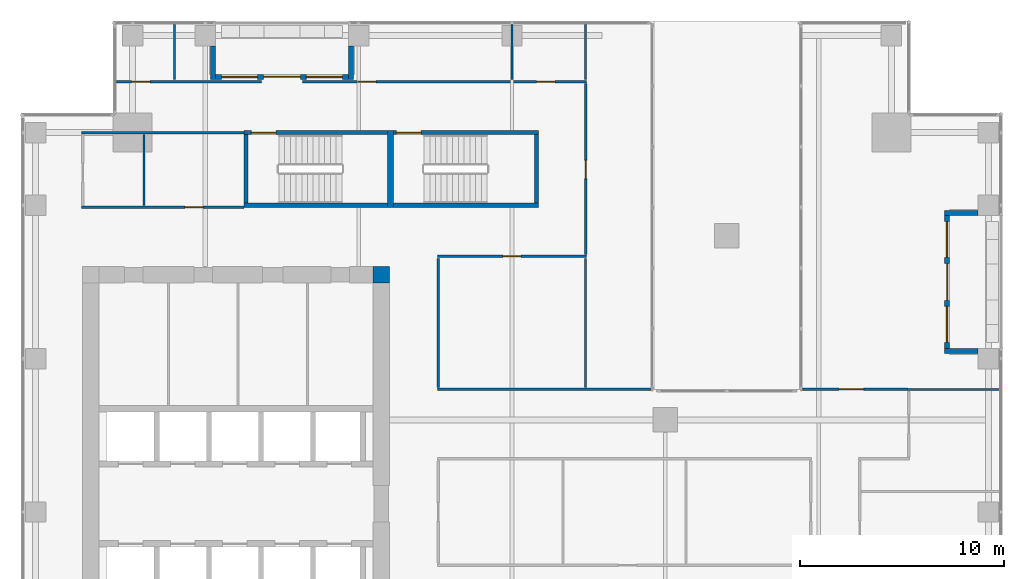
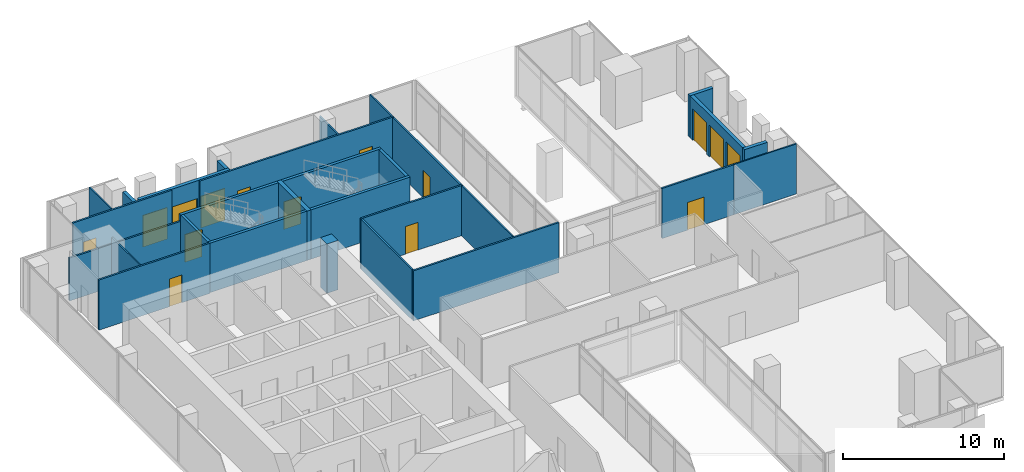
# One storey, part 36 of 40: 29 walls, 11 doors, 4 windows, 15 openings.
"""IFC4 building model written with IfcOpenShell, lengths in metres."""

import ifcopenshell
import ifcopenshell.guid

model = None  # the IFC model being written
_history = None  # IfcOwnerHistory: only IFC2X3 demands one
_inside = {}  # id of a spatial element -> (the spatial element, [elements in it])
_under = {}  # id of a project, library or spatial element -> (it, [spatial elements below it])
_declared = {}  # id of a project -> (the project, [libraries it declares])
_typed = {}  # id of a type object -> (the type object, [elements of that type])
_made_of = {}  # id of a material, layer set ... -> (it, [elements and type objects made of it])


def new_model(schema):
    """Start an empty IFC model of exactly this schema.

    Asked for "IFC4X3", IfcOpenShell would pick the latest addendum, in which some entities
    have other attributes; the version numbers below select the first issue.
    IFC2X3 requires an IfcOwnerHistory on every rooted entity: one is made here for all.
    """
    global model, _history
    if schema == "IFC4X3":
        model = ifcopenshell.file(schema_version=(4, 3, 0, 0))
    else:
        model = ifcopenshell.file(schema=schema)
    _inside.clear()
    _under.clear()
    _declared.clear()
    _typed.clear()
    _made_of.clear()
    _history = None
    if model.schema == "IFC2X3":
        org = make("IfcOrganization", Name="unknown")
        user = make(
            "IfcPersonAndOrganization",
            ThePerson=make("IfcPerson", FamilyName="unknown"),
            TheOrganization=org,
        )
        app = make(
            "IfcApplication",
            ApplicationDeveloper=org,
            Version="unknown",
            ApplicationFullName="unknown",
            ApplicationIdentifier="unknown",
        )
        _history = make(
            "IfcOwnerHistory",
            OwningUser=user,
            OwningApplication=app,
            ChangeAction="ADDED",
            CreationDate=0,
        )
    return model


def make(cls, **values):
    """One entity of the class cls with the attributes given. An attribute that is None is left unset."""
    return model.create_entity(
        cls, **{name: value for name, value in values.items() if value is not None}
    )


def rooted(cls, **values):
    """An entity with a GlobalId (a new one), such as an element, a storey or a relation."""
    return make(cls, GlobalId=ifcopenshell.guid.new(), OwnerHistory=_history, **values)


def si_unit(unit_type, name, prefix=None):
    """IfcSIUnit, for example si_unit("LENGTHUNIT", "METRE", prefix="MILLI")."""
    return make("IfcSIUnit", UnitType=unit_type, Prefix=prefix, Name=name)


def assignment(units):
    """IfcUnitAssignment: the units of a project."""
    return None if units is None else make("IfcUnitAssignment", Units=units)


def point(xyz):
    """IfcCartesianPoint."""
    return None if xyz is None else make("IfcCartesianPoint", Coordinates=xyz)


def direction(xyz):
    """IfcDirection."""
    return None if xyz is None else make("IfcDirection", DirectionRatios=xyz)


def frame(location, z_axis=None, x_axis=None):
    """IfcAxis2Placement3D, a coordinate frame: its origin and axes. An axis left out is left unset."""
    return make(
        "IfcAxis2Placement3D",
        Location=point(location),
        Axis=direction(z_axis),
        RefDirection=direction(x_axis),
    )


def frame_2d(location, x_axis=None):
    """IfcAxis2Placement2D, a coordinate frame in the plane: its origin and x axis."""
    return make(
        "IfcAxis2Placement2D", Location=point(location), RefDirection=direction(x_axis)
    )


def origin():
    """The frame at (0, 0, 0) with its axes left unset."""
    return frame((0.0, 0.0, 0.0))


def place(relative_to, where):
    """IfcLocalPlacement: puts the frame where relative to a parent placement (None: the world)."""
    return make(
        "IfcLocalPlacement", PlacementRelTo=relative_to, RelativePlacement=where
    )


def context(
    kind, dimensions, precision=None, world=None, true_north=None, identifier=None
):
    """IfcGeometricRepresentationContext, for example the 3D "Model" context."""
    return make(
        "IfcGeometricRepresentationContext",
        ContextIdentifier=identifier,
        ContextType=kind,
        CoordinateSpaceDimension=dimensions,
        Precision=precision,
        WorldCoordinateSystem=world,
        TrueNorth=true_north,
    )


def subcontext(parent, identifier, kind, view, scale=None):
    """IfcGeometricRepresentationSubContext, for example "Body" below "Model"."""
    return make(
        "IfcGeometricRepresentationSubContext",
        ContextIdentifier=identifier,
        ContextType=kind,
        ParentContext=parent,
        TargetScale=scale,
        TargetView=view,
    )


def project(units=None, contexts=None):
    """IfcProject with its units and contexts."""
    return rooted(
        "IfcProject",
        Name="project",
        RepresentationContexts=contexts,
        UnitsInContext=assignment(units),
    )


def spatial(cls, under=None, at=None, **own):
    """A site, building, storey or space (cls), placed at a placement, below another one or the project."""
    s = rooted(cls, ObjectPlacement=at, **own)
    if under is not None:
        _under.setdefault(under.id(), (under, []))[1].append(s)
    return s


def profile(cls, at=None, kind="AREA", **sizes):
    """A parametric profile (cls). Its sizes go by their IFC names, for example OverallWidth=200.0."""
    return make(cls, ProfileType=kind, Position=at, **sizes)


def rectangle(**sizes):
    """IfcRectangleProfileDef."""
    return profile("IfcRectangleProfileDef", **sizes)


def extrude(swept, where, along, depth):
    """IfcExtrudedAreaSolid: the profile swept, set in the frame where, extruded along a direction by depth."""
    return make(
        "IfcExtrudedAreaSolid",
        SweptArea=swept,
        Position=where,
        ExtrudedDirection=direction(along),
        Depth=depth,
    )


def shape(context_of_items, identifier, shape_type, items):
    """IfcShapeRepresentation: the items that make up one representation, for example the "Body"."""
    return make(
        "IfcShapeRepresentation",
        ContextOfItems=context_of_items,
        RepresentationIdentifier=identifier,
        RepresentationType=shape_type,
        Items=items,
    )


def source(mapping_origin, context_of_items, identifier, shape_type, items):
    """IfcRepresentationMap: a shape defined once, which mapped items show again and again."""
    return make(
        "IfcRepresentationMap",
        MappingOrigin=mapping_origin,
        MappedRepresentation=shape(context_of_items, identifier, shape_type, items),
    )


def transform(
    local_origin,
    x_axis=None,
    y_axis=None,
    z_axis=None,
    scale=None,
    scale2=None,
    scale3=None,
    uniform=True,
):
    """IfcCartesianTransformationOperator3D, or its non-uniform kind. x_axis, y_axis, z_axis: its Axis1, 2, 3."""
    if uniform:
        return make(
            "IfcCartesianTransformationOperator3D",
            Axis1=direction(x_axis),
            Axis2=direction(y_axis),
            LocalOrigin=point(local_origin),
            Scale=scale,
            Axis3=direction(z_axis),
        )
    return make(
        "IfcCartesianTransformationOperator3DnonUniform",
        Axis1=direction(x_axis),
        Axis2=direction(y_axis),
        LocalOrigin=point(local_origin),
        Scale=scale,
        Axis3=direction(z_axis),
        Scale2=scale2,
        Scale3=scale3,
    )


def mapped(mapping_source, mapping_target):
    """IfcMappedItem: shows the shape of a source again, moved by a transform."""
    return make(
        "IfcMappedItem", MappingSource=mapping_source, MappingTarget=mapping_target
    )


def material(Name=None, Category=None):
    """IfcMaterial."""
    return make("IfcMaterial", Name=Name, Category=Category)


def layer(
    of_material, thickness, ventilated=None, Name=None, Category=None, Priority=None
):
    """IfcMaterialLayer: one layer of a wall or slab, of a material (None: an air gap)."""
    return make(
        "IfcMaterialLayer",
        Material=of_material,
        LayerThickness=thickness,
        IsVentilated=ventilated,
        Name=Name,
        Category=Category,
        Priority=Priority,
    )


def layer_set(layers, Name=None):
    """IfcMaterialLayerSet."""
    return make("IfcMaterialLayerSet", MaterialLayers=layers, LayerSetName=Name)


def made_of(thing, what):
    """Note that an element or type object is made of a material, layer set ...; save() writes the relation."""
    if what is not None:
        _made_of.setdefault(what.id(), (what, []))[1].append(thing)
    return thing


def type_object(cls, material=None, **own):
    """A type object (cls), such as IfcWallType, which elements share."""
    return made_of(rooted(cls, **own), material)


def element(
    cls,
    number,
    at=None,
    inside=None,
    cuts=None,
    type_object=None,
    material=None,
    context=None,
    identifier="Body",
    shape_type=None,
    held_by="IfcProductDefinitionShape",
    body=None,
    shapes=None,
    **own,
):
    """One element of the class cls, such as IfcWall. Its Tag is "e" and its number.

    at: its placement. inside: the storey or other place that contains it. cuts: it is an
    opening in that element (IfcRelVoidsElement). A single representation is given by context,
    identifier, shape_type and body (its items); several are given by shapes. held_by: the class
    of the entity that holds the representations. save() writes the other relations.
    """
    e = rooted(cls, Tag="e%d" % number, ObjectPlacement=at, **own)
    if body is not None:
        shapes = [shape(context, identifier, shape_type, body)]
    if shapes is not None:
        e.Representation = make(held_by, Representations=shapes)
    if inside is not None:
        _inside.setdefault(inside.id(), (inside, []))[1].append(e)
    if cuts is not None:
        rooted(
            "IfcRelVoidsElement", RelatingBuildingElement=cuts, RelatedOpeningElement=e
        )
    if type_object is not None:
        _typed.setdefault(type_object.id(), (type_object, []))[1].append(e)
    return made_of(e, material)


def fill(opening, filler):
    """IfcRelFillsElement: the door or window that sits in an opening."""
    return rooted(
        "IfcRelFillsElement",
        RelatingOpeningElement=opening,
        RelatedBuildingElement=filler,
    )


def aggregate(whole, parts):
    """IfcRelAggregates: a whole, such as a stair, and the parts it consists of."""
    return rooted("IfcRelAggregates", RelatingObject=whole, RelatedObjects=parts)


def save(model, path):
    """Write the relations noted so far, then the file.

    IfcRelAggregates (storeys below a building ...), IfcRelContainedInSpatialStructure (elements
    in a storey), IfcRelDefinesByType, IfcRelAssociatesMaterial and IfcRelDeclares: one each for
    every whole, place, type object, material and project.
    """
    for whole, parts in _under.values():
        aggregate(whole, parts)
    for where, things in _inside.values():
        rooted(
            "IfcRelContainedInSpatialStructure",
            RelatedElements=things,
            RelatingStructure=where,
        )
    for kind, things in _typed.values():
        rooted("IfcRelDefinesByType", RelatedObjects=things, RelatingType=kind)
    for what, things in _made_of.values():
        rooted("IfcRelAssociatesMaterial", RelatedObjects=things, RelatingMaterial=what)
    for by, libraries in _declared.values():
        rooted("IfcRelDeclares", RelatingContext=by, RelatedDefinitions=libraries)
    model.write(path)


model = new_model("IFC4")

# Units and contexts
model_context = context("Model", 3, precision=1e-05, world=origin(), true_north=direction((0.0, 1.0)))
body_context = subcontext(model_context, "Body", "Model", "MODEL_VIEW")
ifc_project = project(units=[si_unit("LENGTHUNIT", "METRE"), si_unit("AREAUNIT", "SQUARE_METRE"), si_unit("VOLUMEUNIT", "CUBIC_METRE"), si_unit("PLANEANGLEUNIT", "RADIAN"), si_unit("MASSUNIT", "GRAM", prefix="KILO")], contexts=[model_context])

# Site, building, storey
site_placement = place(None, origin())
site = spatial("IfcSite", under=ifc_project, at=site_placement, CompositionType="ELEMENT")
building_placement = place(site_placement, origin())
building = spatial("IfcBuilding", under=site, at=building_placement, Name="Khomas Fold Tower", CompositionType="ELEMENT")
storey_placement = place(building_placement, frame((0.0, 0.0, 184.699951171875)))
storey = spatial("IfcBuildingStorey", under=building, at=storey_placement, Name="L40", CompositionType="ELEMENT", Elevation=184.699951171875)

# Wall
ifc_material_1 = material(Name="Concrete C60/75", Category="concrete")
ifc_layer_1 = layer(ifc_material_1, 0.800048828125)
ifc_layer_set_1 = layer_set([ifc_layer_1], Name="Concrete C60/75")
wall_type_1 = type_object("IfcWallType", Name="Core corner wall 800", PredefinedType="SHEAR", material=ifc_layer_set_1)
shared_shape_1 = source(origin(), body_context, "Body", "SweptSolid", [
    extrude(rectangle(XDim=0.800048828125, YDim=0.800048828125, at=frame_2d((0.39990234375, 0.0))), origin(), (0.0, 0.0, 1.0), 3.75),
])
wall_1_placement = place(storey_placement, frame((20.199951171875, 38.60009765625, 0.0), z_axis=(0.0, 0.0, 1.0), x_axis=(1.0, 0.0, 0.0)))
element("IfcWall", 1, at=wall_1_placement, inside=storey, type_object=wall_type_1, Name="Core wall CW-U-NE-L35", PredefinedType="SHEAR", context=body_context, shape_type="MappedRepresentation", body=[
    mapped(shared_shape_1, transform((0.0, 0.0, 0.0))),
])

# Wall, opening, door
ifc_material_2 = material(Name="Concrete C50/60", Category="concrete")
ifc_layer_2 = layer(ifc_material_2, 0.199951171875)
ifc_layer_set_2 = layer_set([ifc_layer_2], Name="Concrete C50/60")
wall_type_2 = type_object("IfcWallType", Name="Stair wall 200", PredefinedType="SHEAR", material=ifc_layer_set_2)
shared_shape_2 = source(origin(), body_context, "Body", "SweptSolid", [
    extrude(rectangle(XDim=7.0, YDim=0.199951171875, at=frame_2d((3.5, 0.0))), origin(), (0.0, 0.0, 1.0), 3.75),
])
wall_2_placement = place(storey_placement, frame((13.89990234375, 45.550048828125, 0.0), z_axis=(0.0, 0.0, 1.0), x_axis=(1.0, 0.0, 0.0)))
wall_2 = element("IfcWall", 2, at=wall_2_placement, inside=storey, type_object=wall_type_2, Name="Stair wall SW-ST1-N", PredefinedType="SHEAR", context=body_context, shape_type="MappedRepresentation", body=[
    mapped(shared_shape_2, transform((0.0, 0.0, 0.0))),
])
shared_shape_3 = source(origin(), body_context, "Body", "SweptSolid", [
    extrude(rectangle(XDim=1.199951171875, YDim=2.10009765625, at=frame_2d((0.60009765625, 1.050048828125))), frame((0.0, 0.10986328125, 0.0), z_axis=(0.0, -1.0, 0.0), x_axis=(1.0, 0.0, 0.0)), (0.0, 0.0, 1.0), 0.219970703125),
])
opening_1_placement = place(wall_2_placement, frame((0.35009765625, 0.0, 0.0)))
opening_1 = element("IfcOpeningElement", 3, at=opening_1_placement, cuts=wall_2, Name="Opening SD-ST1", PredefinedType="OPENING", context=body_context, shape_type="MappedRepresentation", body=[
    mapped(shared_shape_3, transform((0.0, 0.0, 0.0))),
])
ifc_material_3 = material(Name="Steel door leaf", Category="steel")
door_type_1 = type_object("IfcDoorType", Name="Stair door 1200x2100 left-hand", OperationType="SINGLE_SWING_LEFT", PredefinedType="DOOR", material=ifc_material_3)
shared_shape_4 = source(origin(), body_context, "Body", "SweptSolid", [
    extrude(rectangle(XDim=1.199951171875, YDim=2.10009765625, at=frame_2d((0.60009765625, 1.050048828125))), frame((0.0, 0.02490234375, 0.0), z_axis=(0.0, -1.0, 0.0), x_axis=(1.0, 0.0, 0.0)), (0.0, 0.0, 1.0), 0.050048828125),
])
door_1_placement = place(opening_1_placement, origin())
door_1 = element("IfcDoor", 4, at=door_1_placement, inside=storey, type_object=door_type_1, Name="Stair door", OperationType="SINGLE_SWING_LEFT", OverallHeight=2.10009765625, OverallWidth=1.199951171875, PredefinedType="DOOR", context=body_context, shape_type="MappedRepresentation", body=[
    mapped(shared_shape_4, transform((0.0, 0.0, 0.0))),
])
fill(opening_1, door_1)

# Wall
wall_3_placement = place(storey_placement, frame((13.89990234375, 42.0, 0.0), z_axis=(0.0, 0.0, 1.0), x_axis=(1.0, 0.0, 0.0)))
element("IfcWall", 5, at=wall_3_placement, inside=storey, type_object=wall_type_2, Name="Stair wall SW-ST1-S", PredefinedType="SHEAR", context=body_context, shape_type="MappedRepresentation", body=[
    mapped(shared_shape_2, transform((0.0, 0.0, 0.0))),
])

# Wall, opening, door
shared_shape_5 = source(origin(), body_context, "Body", "SweptSolid", [
    extrude(rectangle(XDim=7.10009765625, YDim=0.199951171875, at=frame_2d((3.550048828125, 0.0))), origin(), (0.0, 0.0, 1.0), 3.75),
])
wall_4_placement = place(storey_placement, frame((21.199951171875, 45.550048828125, 0.0), z_axis=(0.0, 0.0, 1.0), x_axis=(1.0, 0.0, 0.0)))
wall_4 = element("IfcWall", 6, at=wall_4_placement, inside=storey, type_object=wall_type_2, Name="Stair wall SW-ST3-N", PredefinedType="SHEAR", context=body_context, shape_type="MappedRepresentation", body=[
    mapped(shared_shape_5, transform((0.0, 0.0, 0.0))),
])
opening_2_placement = place(wall_4_placement, frame((0.14990234375, 0.0, 0.0)))
opening_2 = element("IfcOpeningElement", 7, at=opening_2_placement, cuts=wall_4, Name="Opening SD-ST3", PredefinedType="OPENING", context=body_context, shape_type="MappedRepresentation", body=[
    mapped(shared_shape_3, transform((0.0, 0.0, 0.0))),
])
door_2_placement = place(opening_2_placement, origin())
door_2 = element("IfcDoor", 8, at=door_2_placement, inside=storey, type_object=door_type_1, Name="Stair door", OperationType="SINGLE_SWING_LEFT", OverallHeight=2.10009765625, OverallWidth=1.199951171875, PredefinedType="DOOR", context=body_context, shape_type="MappedRepresentation", body=[
    mapped(shared_shape_4, transform((0.0, 0.0, 0.0))),
])
fill(opening_2, door_2)

# Walls
wall_5_placement = place(storey_placement, frame((21.199951171875, 42.0, 0.0), z_axis=(0.0, 0.0, 1.0), x_axis=(1.0, 0.0, 0.0)))
element("IfcWall", 9, at=wall_5_placement, inside=storey, type_object=wall_type_2, Name="Stair wall SW-ST3-S", PredefinedType="SHEAR", context=body_context, shape_type="MappedRepresentation", body=[
    mapped(shared_shape_5, transform((0.0, 0.0, 0.0))),
])
ifc_material_4 = material(Name="Concrete C50/60", Category="concrete")
ifc_layer_3 = layer(ifc_material_4, 0.300048828125)
ifc_layer_set_3 = layer_set([ifc_layer_3], Name="Concrete C50/60")
wall_type_3 = type_object("IfcWallType", Name="Stair wall 300", PredefinedType="SHEAR", material=ifc_layer_set_3)
shared_shape_6 = source(origin(), body_context, "Body", "SweptSolid", [
    extrude(rectangle(XDim=3.75, YDim=0.300048828125, at=frame_2d((1.875, 0.0))), origin(), (0.0, 0.0, 1.0), 3.75),
])
wall_6_placement = place(storey_placement, frame((21.050048828125, 41.89990234375, 0.0), z_axis=(0.0, 0.0, 1.0), x_axis=(0.0, 1.0, 0.0)))
element("IfcWall", 10, at=wall_6_placement, inside=storey, type_object=wall_type_3, Name="Stair wall SW-ST1-E", PredefinedType="SHEAR", context=body_context, shape_type="MappedRepresentation", body=[
    mapped(shared_shape_6, transform((0.0, 0.0, 0.0))),
])
shared_shape_7 = source(origin(), body_context, "Body", "SweptSolid", [
    extrude(rectangle(XDim=3.349853515625, YDim=0.199951171875, at=frame_2d((1.6748046875, 0.0))), origin(), (0.0, 0.0, 1.0), 3.75),
])
for number, where, z_axis, x_axis, name in (
    (11, (14.0, 42.10009765625, 0.0), (0.0, 0.0, 1.0), (0.0, 1.0, 0.0), "Stair wall SW-ST1-W"),
    (12, (28.199951171875, 42.10009765625, 0.0), (0.0, 0.0, 1.0), (0.0, 1.0, 0.0), "Stair wall SW-ST3-E"),
):
    element("IfcWall", number, at=place(storey_placement, frame(where, z_axis=z_axis, x_axis=x_axis)), inside=storey, type_object=wall_type_2, Name=name, PredefinedType="SHEAR", context=body_context, shape_type="MappedRepresentation", body=[
        mapped(shared_shape_7, transform((0.0, 0.0, 0.0))),
    ])

# Wall, openings, door, windows
ifc_material_5 = material(Name="Natural stone", Category="masonry")
ifc_layer_4 = layer(ifc_material_5, 0.0400390625)
ifc_material_6 = material(Name="Mineral wool insulation", Category="insulation")
ifc_layer_5 = layer(ifc_material_6, 0.10009765625)
ifc_material_7 = material(Name="Masonry", Category="masonry")
ifc_layer_6 = layer(ifc_material_7, 0.110107421875)
ifc_layer_set_4 = layer_set([ifc_layer_4, ifc_layer_5, ifc_layer_6], Name="Stone-faced insulated masonry")
wall_type_4 = type_object("IfcWallType", Name="BL-Balcony wall", PredefinedType="SOLIDWALL", material=ifc_layer_set_4)
shared_shape_8 = source(origin(), body_context, "Body", "SweptSolid", [
    extrude(rectangle(XDim=6.5, YDim=0.25, at=frame_2d((3.25, 0.0))), origin(), (0.0, 0.0, 1.0), 3.75),
])
wall_7_placement = place(storey_placement, frame((12.5, 48.27490234375, 0.0), z_axis=(0.0, 0.0, 1.0), x_axis=(1.0, 0.0, 0.0)))
wall_7 = element("IfcWall", 13, at=wall_7_placement, inside=storey, type_object=wall_type_4, Name="Balcony wall BAL-L40-N1", PredefinedType="SOLIDWALL", context=body_context, shape_type="MappedRepresentation", body=[
    mapped(shared_shape_8, transform((0.0, 0.0, 0.0))),
])
shared_shape_9 = source(origin(), body_context, "Body", "SweptSolid", [
    extrude(rectangle(XDim=1.75, YDim=2.39990234375, at=frame_2d((0.875, 1.199951171875))), frame((0.0, 0.135009765625, 0.0), z_axis=(0.0, -1.0, 0.0), x_axis=(1.0, 0.0, 0.0)), (0.0, 0.0, 1.0), 0.27001953125),
])
opening_3_placement = place(wall_7_placement, frame((0.300048828125, 0.0, 0.0)))
opening_3 = element("IfcOpeningElement", 14, at=opening_3_placement, cuts=wall_7, Name="Opening BL-W3", PredefinedType="OPENING", context=body_context, shape_type="MappedRepresentation", body=[
    mapped(shared_shape_9, transform((0.0, 0.0, 0.0))),
])
opening_4_placement = place(wall_7_placement, frame((4.449951171875, 0.0, 0.0)))
opening_4 = element("IfcOpeningElement", 15, at=opening_4_placement, cuts=wall_7, Name="Opening BL-W3", PredefinedType="OPENING", context=body_context, shape_type="MappedRepresentation", body=[
    mapped(shared_shape_9, transform((0.0, 0.0, 0.0))),
])
shared_shape_10 = source(origin(), body_context, "Body", "SweptSolid", [
    extrude(rectangle(XDim=1.800048828125, YDim=2.39990234375, at=frame_2d((0.89990234375, 1.199951171875))), frame((0.0, 0.135009765625, 0.0), z_axis=(0.0, -1.0, 0.0), x_axis=(1.0, 0.0, 0.0)), (0.0, 0.0, 1.0), 0.27001953125),
])
opening_5_placement = place(wall_7_placement, frame((2.35009765625, 0.0, 0.0)))
opening_5 = element("IfcOpeningElement", 16, at=opening_5_placement, cuts=wall_7, Name="Opening BD402", PredefinedType="OPENING", context=body_context, shape_type="MappedRepresentation", body=[
    mapped(shared_shape_10, transform((0.0, 0.0, 0.0))),
])
ifc_material_8 = material(Name="Aluminium framed double glazing", Category="aluminium")
door_type_2 = type_object("IfcDoorType", Name="BL-Glazed balcony door 1800 x 2400", OperationType="DOUBLE_DOOR_DOUBLE_SWING", PredefinedType="DOOR", material=ifc_material_8)
shared_shape_11 = source(origin(), body_context, "Body", "SweptSolid", [
    extrude(rectangle(XDim=1.800048828125, YDim=2.39990234375, at=frame_2d((0.89990234375, 1.199951171875))), frame((0.0, 0.02490234375, 0.0), z_axis=(0.0, -1.0, 0.0), x_axis=(1.0, 0.0, 0.0)), (0.0, 0.0, 1.0), 0.050048828125),
])
door_3_placement = place(opening_5_placement, origin())
door_3 = element("IfcDoor", 17, at=door_3_placement, inside=storey, type_object=door_type_2, Name="Balcony door BD402", OperationType="DOUBLE_DOOR_DOUBLE_SWING", OverallHeight=2.39990234375, OverallWidth=1.800048828125, PredefinedType="DOOR", context=body_context, shape_type="MappedRepresentation", body=[
    mapped(shared_shape_11, transform((0.0, 0.0, 0.0))),
])
fill(opening_5, door_3)
ifc_material_9 = material(Name="Aluminium framed double glazing", Category="aluminium")
window_type = type_object("IfcWindowType", Name="BL-Fixed glazing 1750 x 2400", PartitioningType="SINGLE_PANEL", PredefinedType="WINDOW", material=ifc_material_9)
shared_shape_12 = source(origin(), body_context, "Body", "SweptSolid", [
    extrude(rectangle(XDim=1.75, YDim=2.39990234375, at=frame_2d((0.875, 1.199951171875))), frame((0.0, 0.030029296875, 0.0), z_axis=(0.0, -1.0, 0.0), x_axis=(1.0, 0.0, 0.0)), (0.0, 0.0, 1.0), 0.06005859375),
])
window_1_placement = place(opening_3_placement, origin())
window_1 = element("IfcWindow", 18, at=window_1_placement, inside=storey, type_object=window_type, Name="Balcony glazing BAL-L40-N1-1", OverallHeight=2.39990234375, OverallWidth=1.75, PartitioningType="SINGLE_PANEL", PredefinedType="WINDOW", context=body_context, shape_type="MappedRepresentation", body=[
    mapped(shared_shape_12, transform((0.0, 0.0, 0.0))),
])
fill(opening_3, window_1)
window_2_placement = place(opening_4_placement, origin())
window_2 = element("IfcWindow", 19, at=window_2_placement, inside=storey, type_object=window_type, Name="Balcony glazing BAL-L40-N1-2", OverallHeight=2.39990234375, OverallWidth=1.75, PartitioningType="SINGLE_PANEL", PredefinedType="WINDOW", context=body_context, shape_type="MappedRepresentation", body=[
    mapped(shared_shape_12, transform((0.0, 0.0, 0.0))),
])
fill(opening_4, window_2)

# Walls
shared_shape_13 = source(origin(), body_context, "Body", "SweptSolid", [
    extrude(rectangle(XDim=1.650146484375, YDim=0.25, at=frame_2d((0.8251953125, 0.0))), origin(), (0.0, 0.0, 1.0), 3.449951171875),
])
for number, where, z_axis, x_axis, name in (
    (20, (12.375, 49.800048828125, 0.0), (0.0, 0.0, 1.0), (0.0, -1.0, 0.0), "Balcony return wall BAL-L40-N1-lo"),
    (21, (19.125, 49.800048828125, 0.0), (0.0, 0.0, 1.0), (0.0, -1.0, 0.0), "Balcony return wall BAL-L40-N1-hi"),
):
    element("IfcWall", number, at=place(storey_placement, frame(where, z_axis=z_axis, x_axis=x_axis)), inside=storey, type_object=wall_type_4, Name=name, PredefinedType="SOLIDWALL", context=body_context, shape_type="MappedRepresentation", body=[
        mapped(shared_shape_13, transform((0.0, 0.0, 0.0))),
    ])

# Wall, openings, door, windows
shared_shape_14 = source(origin(), body_context, "Body", "SweptSolid", [
    extrude(rectangle(XDim=6.5, YDim=0.25, at=frame_2d((3.25, 0.0))), origin(), (0.0, 0.0, 1.0), 3.199951171875),
])
wall_8_placement = place(storey_placement, frame((48.27490234375, 35.0, 0.0), z_axis=(0.0, 0.0, 1.0), x_axis=(0.0, 1.0, 0.0)))
wall_8 = element("IfcWall", 22, at=wall_8_placement, inside=storey, type_object=wall_type_4, Name="Balcony wall BAL-L40-E4", PredefinedType="SOLIDWALL", context=body_context, shape_type="MappedRepresentation", body=[
    mapped(shared_shape_14, transform((0.0, 0.0, 0.0))),
])
opening_6_placement = place(wall_8_placement, frame((0.300048828125, 0.0, 0.0)))
opening_6 = element("IfcOpeningElement", 23, at=opening_6_placement, cuts=wall_8, Name="Opening BL-W3", PredefinedType="OPENING", context=body_context, shape_type="MappedRepresentation", body=[
    mapped(shared_shape_9, transform((0.0, 0.0, 0.0))),
])
opening_7_placement = place(wall_8_placement, frame((4.449951171875, 0.0, 0.0)))
opening_7 = element("IfcOpeningElement", 24, at=opening_7_placement, cuts=wall_8, Name="Opening BL-W3", PredefinedType="OPENING", context=body_context, shape_type="MappedRepresentation", body=[
    mapped(shared_shape_9, transform((0.0, 0.0, 0.0))),
])
opening_8_placement = place(wall_8_placement, frame((2.35009765625, 0.0, 0.0)))
opening_8 = element("IfcOpeningElement", 25, at=opening_8_placement, cuts=wall_8, Name="Opening BD401", PredefinedType="OPENING", context=body_context, shape_type="MappedRepresentation", body=[
    mapped(shared_shape_10, transform((0.0, 0.0, 0.0))),
])
door_4_placement = place(opening_8_placement, origin())
door_4 = element("IfcDoor", 26, at=door_4_placement, inside=storey, type_object=door_type_2, Name="Balcony door BD401", OperationType="DOUBLE_DOOR_DOUBLE_SWING", OverallHeight=2.39990234375, OverallWidth=1.800048828125, PredefinedType="DOOR", context=body_context, shape_type="MappedRepresentation", body=[
    mapped(shared_shape_11, transform((0.0, 0.0, 0.0))),
])
fill(opening_8, door_4)
window_3_placement = place(opening_6_placement, origin())
window_3 = element("IfcWindow", 27, at=window_3_placement, inside=storey, type_object=window_type, Name="Balcony glazing BAL-L40-E4-1", OverallHeight=2.39990234375, OverallWidth=1.75, PartitioningType="SINGLE_PANEL", PredefinedType="WINDOW", context=body_context, shape_type="MappedRepresentation", body=[
    mapped(shared_shape_12, transform((0.0, 0.0, 0.0))),
])
fill(opening_6, window_3)
window_4_placement = place(opening_7_placement, origin())
window_4 = element("IfcWindow", 28, at=window_4_placement, inside=storey, type_object=window_type, Name="Balcony glazing BAL-L40-E4-2", OverallHeight=2.39990234375, OverallWidth=1.75, PartitioningType="SINGLE_PANEL", PredefinedType="WINDOW", context=body_context, shape_type="MappedRepresentation", body=[
    mapped(shared_shape_12, transform((0.0, 0.0, 0.0))),
])
fill(opening_7, window_4)

# Walls
shared_shape_15 = source(origin(), body_context, "Body", "SweptSolid", [
    extrude(rectangle(XDim=1.650146484375, YDim=0.25, at=frame_2d((0.8251953125, 0.0))), origin(), (0.0, 0.0, 1.0), 3.199951171875),
])
for number, where, z_axis, x_axis, name in (
    (29, (49.800048828125, 34.875, 0.0), (0.0, 0.0, 1.0), (-1.0, 0.0, 0.0), "Balcony return wall BAL-L40-E4-lo"),
    (30, (49.800048828125, 41.625, 0.0), (0.0, 0.0, 1.0), (-1.0, 0.0, 0.0), "Balcony return wall BAL-L40-E4-hi"),
):
    element("IfcWall", number, at=place(storey_placement, frame(where, z_axis=z_axis, x_axis=x_axis)), inside=storey, type_object=wall_type_4, Name=name, PredefinedType="SOLIDWALL", context=body_context, shape_type="MappedRepresentation", body=[
        mapped(shared_shape_15, transform((0.0, 0.0, 0.0))),
    ])
ifc_material_10 = material(Name="Plasterboard partition")
ifc_layer_7 = layer(ifc_material_10, 0.125)
ifc_layer_set_5 = layer_set([ifc_layer_7], Name="Plasterboard partition")
wall_type_5 = type_object("IfcWallType", Name="Partition PW2 125", PredefinedType="PARTITIONING", material=ifc_layer_set_5)
shared_shape_16 = source(origin(), body_context, "Body", "SweptSolid", [
    extrude(rectangle(XDim=7.949951171875, YDim=0.125, at=frame_2d((3.97509765625, 0.0))), origin(), (0.0, 0.0, 1.0), 3.25),
])
wall_9_placement = place(storey_placement, frame((5.949951171875, 45.550048828125, 0.0), z_axis=(0.0, 0.0, 1.0), x_axis=(1.0, 0.0, 0.0)))
element("IfcWall", 31, at=wall_9_placement, inside=storey, type_object=wall_type_5, Name="Partition", PredefinedType="PARTITIONING", context=body_context, shape_type="MappedRepresentation", body=[
    mapped(shared_shape_16, transform((0.0, 0.0, 0.0))),
])
ifc_material_11 = material(Name="Plasterboard partition")
ifc_layer_8 = layer(ifc_material_11, 0.10009765625)
ifc_layer_set_6 = layer_set([ifc_layer_8], Name="Plasterboard partition")
wall_type_6 = type_object("IfcWallType", Name="Partition PW1 100", PredefinedType="PARTITIONING", material=ifc_layer_set_6)
shared_shape_17 = source(origin(), body_context, "Body", "SweptSolid", [
    extrude(rectangle(XDim=4.5, YDim=0.10009765625, at=frame_2d((2.25, 0.0))), origin(), (0.0, 0.0, 1.0), 3.800048828125),
])
wall_10_placement = place(storey_placement, frame((46.35009765625, 33.0, 0.0), z_axis=(0.0, 0.0, 1.0), x_axis=(1.0, 0.0, 0.0)))
element("IfcWall", 32, at=wall_10_placement, inside=storey, type_object=wall_type_6, Name="Partition", PredefinedType="PARTITIONING", context=body_context, shape_type="MappedRepresentation", body=[
    mapped(shared_shape_17, transform((0.0, 0.0, 0.0))),
])
shared_shape_18 = source(origin(), body_context, "Body", "SweptSolid", [
    extrude(rectangle(XDim=6.2998046875, YDim=0.125, at=frame_2d((3.14990234375, 0.0))), origin(), (0.0, 0.0, 1.0), 3.800048828125),
])
wall_11_placement = place(storey_placement, frame((23.39990234375, 33.10009765625, 0.0), z_axis=(0.0, 0.0, 1.0), x_axis=(0.0, 1.0, 0.0)))
element("IfcWall", 33, at=wall_11_placement, inside=storey, type_object=wall_type_5, Name="Partition", PredefinedType="PARTITIONING", context=body_context, shape_type="MappedRepresentation", body=[
    mapped(shared_shape_18, transform((0.0, 0.0, 0.0))),
])

# Wall, opening, door
shared_shape_19 = source(origin(), body_context, "Body", "SweptSolid", [
    extrude(rectangle(XDim=7.949951171875, YDim=0.125, at=frame_2d((3.97509765625, 0.0))), origin(), (0.0, 0.0, 1.0), 3.800048828125),
])
wall_12_placement = place(storey_placement, frame((5.949951171875, 41.89990234375, 0.0), z_axis=(0.0, 0.0, 1.0), x_axis=(1.0, 0.0, 0.0)))
wall_12 = element("IfcWall", 34, at=wall_12_placement, inside=storey, type_object=wall_type_5, Name="Partition", PredefinedType="PARTITIONING", context=body_context, shape_type="MappedRepresentation", body=[
    mapped(shared_shape_19, transform((0.0, 0.0, 0.0))),
])
shared_shape_20 = source(origin(), body_context, "Body", "SweptSolid", [
    extrude(rectangle(XDim=0.89990234375, YDim=2.10009765625, at=frame_2d((0.449951171875, 1.050048828125))), frame((0.0, 0.072509765625, 0.0), z_axis=(0.0, -1.0, 0.0), x_axis=(1.0, 0.0, 0.0)), (0.0, 0.0, 1.0), 0.14501953125),
])
opening_9_placement = place(wall_12_placement, frame((5.050048828125, 0.0, 0.0)))
opening_9 = element("IfcOpeningElement", 35, at=opening_9_placement, cuts=wall_12, Name="Opening 0007", PredefinedType="OPENING", context=body_context, shape_type="MappedRepresentation", body=[
    mapped(shared_shape_20, transform((0.0, 0.0, 0.0))),
])
ifc_material_12 = material(Name="Timber door leaf", Category="wood")
door_type_3 = type_object("IfcDoorType", Name="Door 900x2100 left-hand", OperationType="SINGLE_SWING_LEFT", PredefinedType="DOOR", material=ifc_material_12)
shared_shape_21 = source(origin(), body_context, "Body", "SweptSolid", [
    extrude(rectangle(XDim=0.89990234375, YDim=2.10009765625, at=frame_2d((0.449951171875, 1.050048828125))), frame((0.0, 0.02490234375, 0.0), z_axis=(0.0, -1.0, 0.0), x_axis=(1.0, 0.0, 0.0)), (0.0, 0.0, 1.0), 0.050048828125),
])
door_5_placement = place(opening_9_placement, origin())
door_5 = element("IfcDoor", 36, at=door_5_placement, inside=storey, type_object=door_type_3, Name="Door", OperationType="SINGLE_SWING_LEFT", OverallHeight=2.10009765625, OverallWidth=0.89990234375, PredefinedType="DOOR", context=body_context, shape_type="MappedRepresentation", body=[
    mapped(shared_shape_21, transform((0.0, 0.0, 0.0))),
])
fill(opening_9, door_5)

# Walls
shared_shape_22 = source(origin(), body_context, "Body", "SweptSolid", [
    extrude(rectangle(XDim=3.449951171875, YDim=0.10009765625, at=frame_2d((1.72509765625, 0.0))), origin(), (0.0, 0.0, 1.0), 3.800048828125),
])
wall_13_placement = place(storey_placement, frame((9.0, 42.0, 0.0), z_axis=(0.0, 0.0, 1.0), x_axis=(0.0, 1.0, 0.0)))
element("IfcWall", 37, at=wall_13_placement, inside=storey, type_object=wall_type_6, Name="Partition", PredefinedType="PARTITIONING", context=body_context, shape_type="MappedRepresentation", body=[
    mapped(shared_shape_22, transform((0.0, 0.0, 0.0))),
])
shared_shape_23 = source(origin(), body_context, "Body", "SweptSolid", [
    extrude(rectangle(XDim=2.7001953125, YDim=0.10009765625, at=frame_2d((1.35009765625, 0.0))), origin(), (0.0, 0.0, 1.0), 3.420166015625),
])
wall_14_placement = place(storey_placement, frame((27.0, 48.14990234375, 0.0), z_axis=(0.0, 0.0, 1.0), x_axis=(0.0, 1.0, 0.0)))
element("IfcWall", 38, at=wall_14_placement, inside=storey, type_object=wall_type_6, Name="Partition", PredefinedType="PARTITIONING", context=body_context, shape_type="MappedRepresentation", body=[
    mapped(shared_shape_23, transform((0.0, 0.0, 0.0))),
])
shared_shape_24 = source(origin(), body_context, "Body", "SweptSolid", [
    extrude(rectangle(XDim=2.7001953125, YDim=0.10009765625, at=frame_2d((1.35009765625, 0.0))), origin(), (0.0, 0.0, 1.0), 3.800048828125),
])
for number, where, z_axis, x_axis, name in (
    (39, (10.5, 48.14990234375, 0.0), (0.0, 0.0, 1.0), (0.0, 1.0, 0.0), "Partition"),
    (40, (30.60009765625, 48.14990234375, 0.0), (0.0, 0.0, 1.0), (0.0, 1.0, 0.0), "Partition"),
):
    element("IfcWall", number, at=place(storey_placement, frame(where, z_axis=z_axis, x_axis=x_axis)), inside=storey, type_object=wall_type_6, Name=name, PredefinedType="PARTITIONING", context=body_context, shape_type="MappedRepresentation", body=[
        mapped(shared_shape_24, transform((0.0, 0.0, 0.0))),
    ])

# Wall, opening, door
shared_shape_25 = source(origin(), body_context, "Body", "SweptSolid", [
    extrude(rectangle(XDim=7.10009765625, YDim=0.125, at=frame_2d((3.550048828125, 0.0))), origin(), (0.0, 0.0, 1.0), 3.800048828125),
])
wall_15_placement = place(storey_placement, frame((7.64990234375, 48.050048828125, 0.0), z_axis=(0.0, 0.0, 1.0), x_axis=(1.0, 0.0, 0.0)))
wall_15 = element("IfcWall", 41, at=wall_15_placement, inside=storey, type_object=wall_type_5, Name="Partition", PredefinedType="PARTITIONING", context=body_context, shape_type="MappedRepresentation", body=[
    mapped(shared_shape_25, transform((0.0, 0.0, 0.0))),
])
opening_10_placement = place(wall_15_placement, frame((0.75, 0.0, 0.0)))
opening_10 = element("IfcOpeningElement", 42, at=opening_10_placement, cuts=wall_15, Name="Opening 0008", PredefinedType="OPENING", context=body_context, shape_type="MappedRepresentation", body=[
    mapped(shared_shape_20, transform((0.0, 0.0, 0.0))),
])
ifc_material_13 = material(Name="Timber door leaf", Category="wood")
door_type_4 = type_object("IfcDoorType", Name="Door 900x2100 right-hand", OperationType="SINGLE_SWING_RIGHT", PredefinedType="DOOR", material=ifc_material_13)
door_6_placement = place(opening_10_placement, origin())
door_6 = element("IfcDoor", 43, at=door_6_placement, inside=storey, type_object=door_type_4, Name="Door", OperationType="SINGLE_SWING_RIGHT", OverallHeight=2.10009765625, OverallWidth=0.89990234375, PredefinedType="DOOR", context=body_context, shape_type="MappedRepresentation", body=[
    mapped(shared_shape_21, transform((0.0, 0.0, 0.0))),
])
fill(opening_10, door_6)

# Wall
shared_shape_26 = source(origin(), body_context, "Body", "SweptSolid", [
    extrude(rectangle(XDim=6.2998046875, YDim=0.10009765625, at=frame_2d((3.14990234375, 0.0))), origin(), (0.0, 0.0, 1.0), 3.800048828125),
])
wall_16_placement = place(storey_placement, frame((30.60009765625, 33.10009765625, 0.0), z_axis=(0.0, 0.0, 1.0), x_axis=(0.0, 1.0, 0.0)))
element("IfcWall", 44, at=wall_16_placement, inside=storey, type_object=wall_type_6, Name="Partition", PredefinedType="PARTITIONING", context=body_context, shape_type="MappedRepresentation", body=[
    mapped(shared_shape_26, transform((0.0, 0.0, 0.0))),
])

# Wall, opening, door
shared_shape_27 = source(origin(), body_context, "Body", "SweptSolid", [
    extrude(rectangle(XDim=7.2998046875, YDim=0.125, at=frame_2d((3.64990234375, 0.0))), origin(), (0.0, 0.0, 1.0), 3.800048828125),
])
wall_17_placement = place(storey_placement, frame((23.35009765625, 39.5, 0.0), z_axis=(0.0, 0.0, 1.0), x_axis=(1.0, 0.0, 0.0)))
wall_17 = element("IfcWall", 45, at=wall_17_placement, inside=storey, type_object=wall_type_5, Name="Partition", PredefinedType="PARTITIONING", context=body_context, shape_type="MappedRepresentation", body=[
    mapped(shared_shape_27, transform((0.0, 0.0, 0.0))),
])
opening_11_placement = place(wall_17_placement, frame((3.199951171875, 0.0, 0.0)))
opening_11 = element("IfcOpeningElement", 46, at=opening_11_placement, cuts=wall_17, Name="Opening 0007", PredefinedType="OPENING", context=body_context, shape_type="MappedRepresentation", body=[
    mapped(shared_shape_20, transform((0.0, 0.0, 0.0))),
])
door_7_placement = place(opening_11_placement, origin())
door_7 = element("IfcDoor", 47, at=door_7_placement, inside=storey, type_object=door_type_3, Name="Door", OperationType="SINGLE_SWING_LEFT", OverallHeight=2.10009765625, OverallWidth=0.89990234375, PredefinedType="DOOR", context=body_context, shape_type="MappedRepresentation", body=[
    mapped(shared_shape_21, transform((0.0, 0.0, 0.0))),
])
fill(opening_11, door_7)

shared_shape_28 = source(origin(), body_context, "Body", "SweptSolid", [
    extrude(rectangle(XDim=8.349853515625, YDim=0.125, at=frame_2d((4.1748046875, 0.0))), origin(), (0.0, 0.0, 1.0), 3.800048828125),
])
wall_18_placement = place(storey_placement, frame((30.60009765625, 39.60009765625, 0.0), z_axis=(0.0, 0.0, 1.0), x_axis=(0.0, 1.0, 0.0)))
wall_18 = element("IfcWall", 48, at=wall_18_placement, inside=storey, type_object=wall_type_5, Name="Partition", PredefinedType="PARTITIONING", context=body_context, shape_type="MappedRepresentation", body=[
    mapped(shared_shape_28, transform((0.0, 0.0, 0.0))),
])
opening_12_placement = place(wall_18_placement, frame((3.699951171875, 0.0, 0.0)))
opening_12 = element("IfcOpeningElement", 49, at=opening_12_placement, cuts=wall_18, Name="Opening 0008", PredefinedType="OPENING", context=body_context, shape_type="MappedRepresentation", body=[
    mapped(shared_shape_20, transform((0.0, 0.0, 0.0))),
])
door_8_placement = place(opening_12_placement, origin())
door_8 = element("IfcDoor", 50, at=door_8_placement, inside=storey, type_object=door_type_4, Name="Door", OperationType="SINGLE_SWING_RIGHT", OverallHeight=2.10009765625, OverallWidth=0.89990234375, PredefinedType="DOOR", context=body_context, shape_type="MappedRepresentation", body=[
    mapped(shared_shape_21, transform((0.0, 0.0, 0.0))),
])
fill(opening_12, door_8)

# Wall, openings, doors
shared_shape_29 = source(origin(), body_context, "Body", "SweptSolid", [
    extrude(rectangle(XDim=13.89990234375, YDim=0.125, at=frame_2d((6.949951171875, 0.0))), origin(), (0.0, 0.0, 1.0), 3.800048828125),
])
wall_19_placement = place(storey_placement, frame((16.75, 48.050048828125, 0.0), z_axis=(0.0, 0.0, 1.0), x_axis=(1.0, 0.0, 0.0)))
wall_19 = element("IfcWall", 51, at=wall_19_placement, inside=storey, type_object=wall_type_5, Name="Partition", PredefinedType="PARTITIONING", context=body_context, shape_type="MappedRepresentation", body=[
    mapped(shared_shape_29, transform((0.0, 0.0, 0.0))),
])
opening_13_placement = place(wall_19_placement, frame((2.699951171875, 0.0, 0.0)))
opening_13 = element("IfcOpeningElement", 52, at=opening_13_placement, cuts=wall_19, Name="Opening 0007", PredefinedType="OPENING", context=body_context, shape_type="MappedRepresentation", body=[
    mapped(shared_shape_20, transform((0.0, 0.0, 0.0))),
])
opening_14_placement = place(wall_19_placement, frame((11.449951171875, 0.0, 0.0)))
opening_14 = element("IfcOpeningElement", 53, at=opening_14_placement, cuts=wall_19, Name="Opening 0008", PredefinedType="OPENING", context=body_context, shape_type="MappedRepresentation", body=[
    mapped(shared_shape_20, transform((0.0, 0.0, 0.0))),
])
door_9_placement = place(opening_13_placement, origin())
door_9 = element("IfcDoor", 54, at=door_9_placement, inside=storey, type_object=door_type_3, Name="Door", OperationType="SINGLE_SWING_LEFT", OverallHeight=2.10009765625, OverallWidth=0.89990234375, PredefinedType="DOOR", context=body_context, shape_type="MappedRepresentation", body=[
    mapped(shared_shape_21, transform((0.0, 0.0, 0.0))),
])
fill(opening_13, door_9)
door_10_placement = place(opening_14_placement, origin())
door_10 = element("IfcDoor", 55, at=door_10_placement, inside=storey, type_object=door_type_4, Name="Door", OperationType="SINGLE_SWING_RIGHT", OverallHeight=2.10009765625, OverallWidth=0.89990234375, PredefinedType="DOOR", context=body_context, shape_type="MappedRepresentation", body=[
    mapped(shared_shape_21, transform((0.0, 0.0, 0.0))),
])
fill(opening_14, door_10)

# Wall
shared_shape_30 = source(origin(), body_context, "Body", "SweptSolid", [
    extrude(rectangle(XDim=10.449951171875, YDim=0.125, at=frame_2d((5.22509765625, 0.0))), origin(), (0.0, 0.0, 1.0), 3.800048828125),
])
wall_20_placement = place(storey_placement, frame((23.35009765625, 33.0, 0.0), z_axis=(0.0, 0.0, 1.0), x_axis=(1.0, 0.0, 0.0)))
element("IfcWall", 56, at=wall_20_placement, inside=storey, type_object=wall_type_5, Name="Partition", PredefinedType="PARTITIONING", context=body_context, shape_type="MappedRepresentation", body=[
    mapped(shared_shape_30, transform((0.0, 0.0, 0.0))),
])

# Wall, opening, door
shared_shape_31 = source(origin(), body_context, "Body", "SweptSolid", [
    extrude(rectangle(XDim=5.150146484375, YDim=0.125, at=frame_2d((2.5751953125, 0.0))), origin(), (0.0, 0.0, 1.0), 3.800048828125),
])
wall_21_placement = place(storey_placement, frame((41.199951171875, 33.0, 0.0), z_axis=(0.0, 0.0, 1.0), x_axis=(1.0, 0.0, 0.0)))
wall_21 = element("IfcWall", 57, at=wall_21_placement, inside=storey, type_object=wall_type_5, Name="Partition", PredefinedType="PARTITIONING", context=body_context, shape_type="MappedRepresentation", body=[
    mapped(shared_shape_31, transform((0.0, 0.0, 0.0))),
])
shared_shape_32 = source(origin(), body_context, "Body", "SweptSolid", [
    extrude(rectangle(XDim=1.199951171875, YDim=2.10009765625, at=frame_2d((0.60009765625, 1.050048828125))), frame((0.0, 0.072509765625, 0.0), z_axis=(0.0, -1.0, 0.0), x_axis=(1.0, 0.0, 0.0)), (0.0, 0.0, 1.0), 0.14501953125),
])
opening_15_placement = place(wall_21_placement, frame((1.800048828125, 0.0, 0.0)))
opening_15 = element("IfcOpeningElement", 58, at=opening_15_placement, cuts=wall_21, Name="Opening 0001", PredefinedType="OPENING", context=body_context, shape_type="MappedRepresentation", body=[
    mapped(shared_shape_32, transform((0.0, 0.0, 0.0))),
])
ifc_material_14 = material(Name="Timber door leaf", Category="wood")
door_type_5 = type_object("IfcDoorType", Name="Door 1200x2100 right-hand", OperationType="SINGLE_SWING_RIGHT", PredefinedType="DOOR", material=ifc_material_14)
door_11_placement = place(opening_15_placement, origin())
door_11 = element("IfcDoor", 59, at=door_11_placement, inside=storey, type_object=door_type_5, Name="Door", OperationType="SINGLE_SWING_RIGHT", OverallHeight=2.10009765625, OverallWidth=1.199951171875, PredefinedType="DOOR", context=body_context, shape_type="MappedRepresentation", body=[
    mapped(shared_shape_4, transform((0.0, 0.0, 0.0))),
])
fill(opening_15, door_11)

save(model, "model.ifc")
